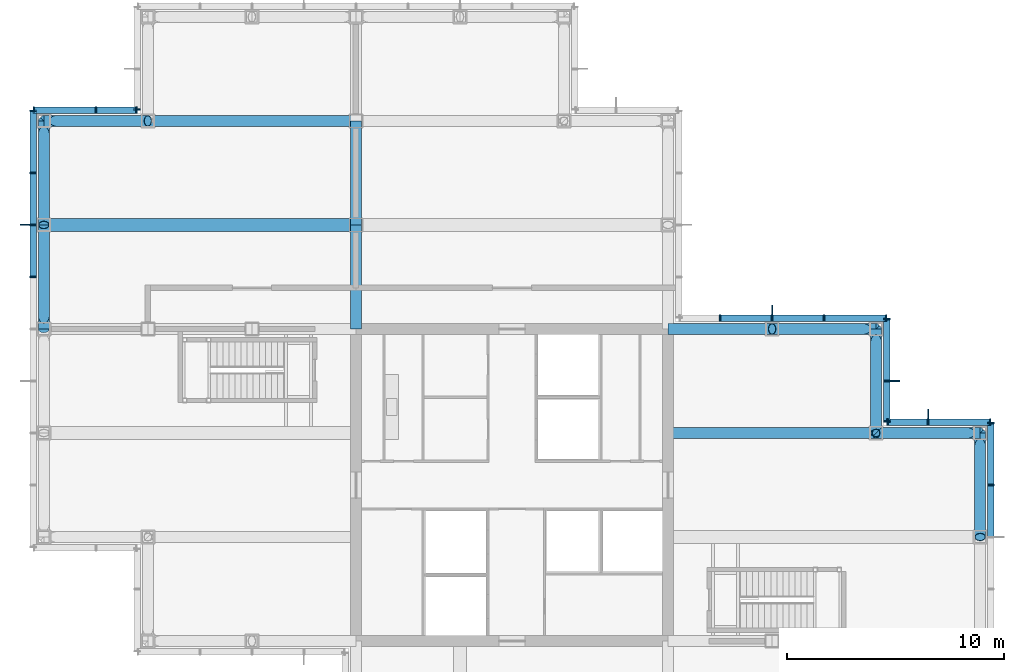
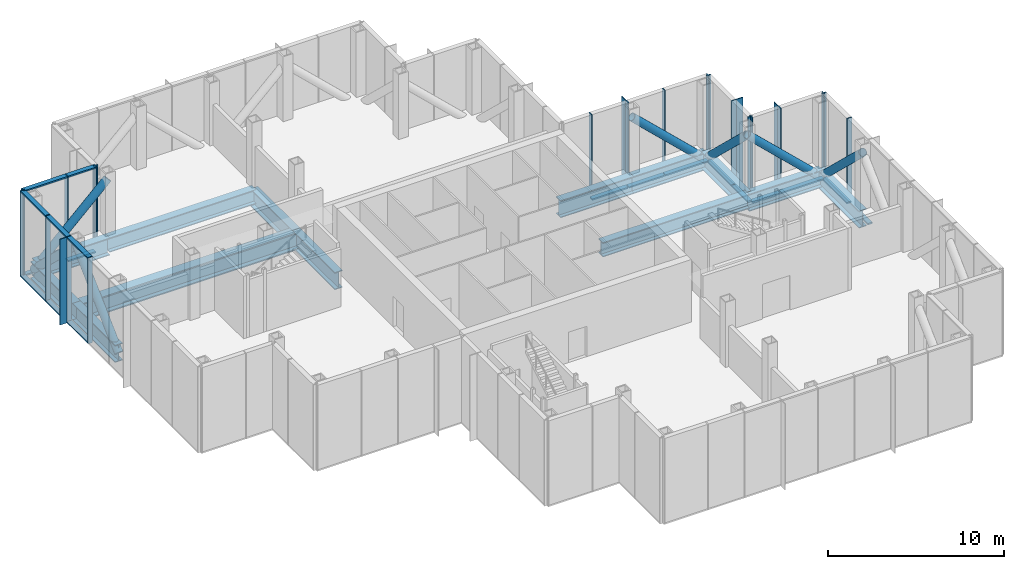
# One storey, part 9 of 17: 50 members, 13 beams, 7 elements without a shape of their own.
"""IFC4 building model written with IfcOpenShell, lengths in metres."""

from ifc_helpers import new_model, si_unit, direction, frame, origin, origin_2d, place, context, subcontext, project, spatial, rectangle, hollow_circle, i_section, extrude, material, material_profile, profile_set, type_object, element, aggregate, save


model = new_model("IFC4")

# Units and contexts
model_context = context("Model", 3, precision=1e-05, world=origin(), true_north=direction((0.0, 1.0)))
body_context = subcontext(model_context, "Body", "Model", "MODEL_VIEW")
ifc_project = project(units=[si_unit("LENGTHUNIT", "METRE"), si_unit("AREAUNIT", "SQUARE_METRE"), si_unit("VOLUMEUNIT", "CUBIC_METRE"), si_unit("PLANEANGLEUNIT", "RADIAN"), si_unit("MASSUNIT", "GRAM", prefix="KILO")], contexts=[model_context])

# Site, building, storey
site_placement = place(None, origin())
site = spatial("IfcSite", under=ifc_project, at=site_placement, CompositionType="ELEMENT")
building_placement = place(site_placement, origin())
building = spatial("IfcBuilding", under=site, at=building_placement, Name="Kvirike Care Tower", CompositionType="ELEMENT")
storey_placement = place(building_placement, frame((0.0, 0.0, 136.5)))
storey = spatial("IfcBuildingStorey", under=building, at=storey_placement, Name="L37", CompositionType="ELEMENT", Elevation=136.5)

# Members
ifc_material_1 = material(Name="Steel S355", Category="steel")
ifc_material_profile_1 = material_profile(ifc_material_1, hollow_circle(Radius=0.25390625, WallThickness=0.02490234375, at=origin_2d()), Name="CHS 508x25")
ifc_profile_set_1 = profile_set([ifc_material_profile_1], Name="Steel S355")
member_type_1 = type_object("IfcMemberType", Name="BELT TRUSS DIAGONAL CHS 508x25", PredefinedType="BRACE", material=ifc_profile_set_1)
member_1_placement = place(storey_placement, frame((43.199951171875, 38.39990234375, -0.85009765625), z_axis=(0.0, -0.723472495583, 0.690353205348), x_axis=(1.0, 0.0, 0.0)))
element("IfcMember", 1, at=member_1_placement, inside=storey, type_object=member_type_1, Name="Belt truss diagonal H12-J12 L37", PredefinedType="BRACE", context=body_context, shape_type="SweptSolid", body=[
    extrude(hollow_circle(Radius=0.25390625, WallThickness=0.02490234375, at=origin_2d()), origin(), (0.0, 0.0, 1.0), 6.63427734375),
])
for number, where, z_axis, x_axis, name in (
    (2, (43.199951171875, 38.39990234375, -0.85009765625), (-0.723490032929, 0.0, 0.690334826191), (0.0, -1.0, 0.0), "Belt truss diagonal J12-J11 L37"),
    (3, (38.39990234375, 43.199951171875, -0.85009765625), (0.0, -0.723490032929, 0.690334826191), (1.0, 0.0, 0.0), "Belt truss diagonal J11-K11 L37"),
):
    element("IfcMember", number, at=place(storey_placement, frame(where, z_axis=z_axis, x_axis=x_axis)), inside=storey, type_object=member_type_1, Name=name, PredefinedType="BRACE", context=body_context, shape_type="SweptSolid", body=[
        extrude(hollow_circle(Radius=0.25390625, WallThickness=0.02490234375, at=origin_2d()), origin(), (0.0, 0.0, 1.0), 6.634521484375),
    ])
member_2_placement = place(storey_placement, frame((38.39990234375, 43.199951171875, -0.85009765625), z_axis=(-0.723472495583, 0.0, 0.690353205348), x_axis=(0.0, -1.0, 0.0)))
element("IfcMember", 4, at=member_2_placement, inside=storey, type_object=member_type_1, Name="Belt truss diagonal K11-K10 L37", PredefinedType="BRACE", context=body_context, shape_type="SweptSolid", body=[
    extrude(hollow_circle(Radius=0.25390625, WallThickness=0.02490234375, at=origin_2d()), origin(), (0.0, 0.0, 1.0), 6.63427734375),
])
for number, where, z_axis, x_axis, name in (
    (5, (0.0, 52.800048828125, -0.85009765625), (0.723490032929, 0.0, 0.690334826191), (0.0, 1.0, 0.0), "Belt truss diagonal M4-M3 L37"),
    (6, (0.0, 52.800048828125, -0.85009765625), (0.0, -0.723490032929, 0.690334826191), (1.0, 0.0, 0.0), "Belt truss diagonal M3-L3 L37"),
    (7, (0.0, 43.199951171875, -0.85009765625), (0.0, 0.723490032929, 0.690334826191), (-1.0, 0.0, 0.0), "Belt truss diagonal L3-K3 L37"),
):
    element("IfcMember", number, at=place(storey_placement, frame(where, z_axis=z_axis, x_axis=x_axis)), inside=storey, type_object=member_type_1, Name=name, PredefinedType="BRACE", context=body_context, shape_type="SweptSolid", body=[
        extrude(hollow_circle(Radius=0.25390625, WallThickness=0.02490234375, at=origin_2d()), origin(), (0.0, 0.0, 1.0), 6.634521484375),
    ])

# Curtain wall, member
ifc_material_2 = material(Name="Anodised aluminium stick system", Category="aluminium")
curtain_wall_type = type_object("IfcCurtainWallType", Name="CW-L LOUVRED PLANT SCREEN", PredefinedType="NOTDEFINED", material=ifc_material_2)
curtain_wall_1_placement = place(storey_placement, origin())
curtain_wall_1 = element("IfcCurtainWall", 8, at=curtain_wall_1_placement, inside=storey, type_object=curtain_wall_type, Name="Curtain wall L37 face 2", PredefinedType="NOTDEFINED")
ifc_material_3 = material(Name="Bronze anodised aluminium fin", Category="aluminium")
ifc_material_profile_2 = material_profile(ifc_material_3, rectangle(XDim=0.050048828125, YDim=0.449951171875, at=origin_2d()), Name="BRONZE FIN 450")
ifc_profile_set_2 = profile_set([ifc_material_profile_2], Name="Bronze anodised aluminium fin")
member_type_2 = type_object("IfcMemberType", Name="BRONZE FIN 450", PredefinedType="USERDEFINED", material=ifc_profile_set_2)
member_3_placement = place(storey_placement, frame((40.800048828125, 39.27490234375, -1.449951171875), z_axis=(0.0, 0.0, 1.0), x_axis=(-1.0, 0.0, 0.0)))
member_3 = element("IfcMember", 9, at=member_3_placement, type_object=member_type_2, Name="Bronze fin L37 face 2.2", ObjectType="FIN", PredefinedType="USERDEFINED", context=body_context, shape_type="SweptSolid", body=[
    extrude(rectangle(XDim=0.050048828125, YDim=0.449951171875, at=origin_2d()), origin(), (0.0, 0.0, 1.0), 5.949951171875),
])

curtain_wall_2_placement = place(storey_placement, origin())
curtain_wall_2 = element("IfcCurtainWall", 10, at=curtain_wall_2_placement, inside=storey, type_object=curtain_wall_type, Name="Curtain wall L37 face 3", PredefinedType="NOTDEFINED")
member_4_placement = place(storey_placement, frame((39.27490234375, 40.800048828125, -1.449951171875), z_axis=(0.0, 0.0, 1.0), x_axis=(0.0, 1.0, 0.0)))
member_4 = element("IfcMember", 11, at=member_4_placement, type_object=member_type_2, Name="Bronze fin L37 face 3.2", ObjectType="FIN", PredefinedType="USERDEFINED", context=body_context, shape_type="SweptSolid", body=[
    extrude(rectangle(XDim=0.050048828125, YDim=0.449951171875, at=origin_2d()), origin(), (0.0, 0.0, 1.0), 5.949951171875),
])

curtain_wall_3_placement = place(storey_placement, origin())
curtain_wall_3 = element("IfcCurtainWall", 12, at=curtain_wall_3_placement, inside=storey, type_object=curtain_wall_type, Name="Curtain wall L37 face 4", PredefinedType="NOTDEFINED")
member_5_placement = place(storey_placement, frame((33.60009765625, 44.074951171875, -1.449951171875), z_axis=(0.0, 0.0, 1.0), x_axis=(-1.0, 0.0, 0.0)))
member_5 = element("IfcMember", 13, at=member_5_placement, type_object=member_type_2, Name="Bronze fin L37 face 4.3", ObjectType="FIN", PredefinedType="USERDEFINED", context=body_context, shape_type="SweptSolid", body=[
    extrude(rectangle(XDim=0.050048828125, YDim=0.449951171875, at=origin_2d()), origin(), (0.0, 0.0, 1.0), 5.949951171875),
])

curtain_wall_4_placement = place(storey_placement, origin())
curtain_wall_4 = element("IfcCurtainWall", 14, at=curtain_wall_4_placement, inside=storey, type_object=curtain_wall_type, Name="Curtain wall L37 face 11", PredefinedType="NOTDEFINED")
member_6_placement = place(storey_placement, frame((-0.875, 48.0, -1.449951171875), z_axis=(0.0, 0.0, 1.0), x_axis=(0.0, -1.0, 0.0)))
member_6 = element("IfcMember", 15, at=member_6_placement, type_object=member_type_2, Name="Bronze fin L37 face 11.3", ObjectType="FIN", PredefinedType="USERDEFINED", context=body_context, shape_type="SweptSolid", body=[
    extrude(rectangle(XDim=0.050048828125, YDim=0.449951171875, at=origin_2d()), origin(), (0.0, 0.0, 1.0), 5.949951171875),
])

# Curtain wall, members
curtain_wall_5_placement = place(storey_placement, origin())
curtain_wall_5 = element("IfcCurtainWall", 16, at=curtain_wall_5_placement, inside=storey, type_object=curtain_wall_type, Name="Curtain wall L37 face 1", PredefinedType="NOTDEFINED")
ifc_material_4 = material(Name="Bronze anodised aluminium mullion", Category="aluminium")
ifc_material_profile_3 = material_profile(ifc_material_4, rectangle(XDim=0.06494140625, YDim=0.300048828125, at=origin_2d()), Name="CW-L MULLION 65x300")
ifc_profile_set_3 = profile_set([ifc_material_profile_3], Name="Bronze anodised aluminium mullion")
member_type_3 = type_object("IfcMemberType", Name="CW-L MULLION 65x300", PredefinedType="MULLION", material=ifc_profile_set_3)
member_7_placement = place(storey_placement, frame((43.699951171875, 36.0, -1.449951171875), z_axis=(0.0, 0.0, 1.0), x_axis=(0.0, 1.0, 0.0)))
member_7 = element("IfcMember", 17, at=member_7_placement, type_object=member_type_3, Name="CW-L mullion L37 face 1.8", PredefinedType="MULLION", context=body_context, shape_type="SweptSolid", body=[
    extrude(rectangle(XDim=0.06494140625, YDim=0.300048828125, at=origin_2d()), origin(), (0.0, 0.0, 1.0), 5.949951171875),
])
member_8_placement = place(storey_placement, frame((43.699951171875, 38.867431640625, -1.449951171875), z_axis=(0.0, 0.0, 1.0), x_axis=(0.0, 1.0, 0.0)))
member_8 = element("IfcMember", 18, at=member_8_placement, type_object=member_type_3, Name="CW-L mullion L37 face 1.9", PredefinedType="MULLION", context=body_context, shape_type="SweptSolid", body=[
    extrude(rectangle(XDim=0.06494140625, YDim=0.300048828125, at=origin_2d()), origin(), (0.0, 0.0, 1.0), 5.949951171875),
])

# Member
member_9_placement = place(storey_placement, frame((43.66748046875, 38.89990234375, -1.449951171875), z_axis=(0.0, 0.0, 1.0), x_axis=(-1.0, 0.0, 0.0)))
member_9 = element("IfcMember", 19, at=member_9_placement, type_object=member_type_3, Name="CW-L mullion L37 face 2.1", PredefinedType="MULLION", context=body_context, shape_type="SweptSolid", body=[
    extrude(rectangle(XDim=0.06494140625, YDim=0.300048828125, at=origin_2d()), origin(), (0.0, 0.0, 1.0), 5.949951171875),
])

member_10_placement = place(storey_placement, frame((40.800048828125, 38.89990234375, -1.449951171875), z_axis=(0.0, 0.0, 1.0), x_axis=(-1.0, 0.0, 0.0)))
member_10 = element("IfcMember", 20, at=member_10_placement, type_object=member_type_3, Name="CW-L mullion L37 face 2.2", PredefinedType="MULLION", context=body_context, shape_type="SweptSolid", body=[
    extrude(rectangle(XDim=0.06494140625, YDim=0.300048828125, at=origin_2d()), origin(), (0.0, 0.0, 1.0), 5.949951171875),
])

member_11_placement = place(storey_placement, frame((38.9326171875, 38.89990234375, -1.449951171875), z_axis=(0.0, 0.0, 1.0), x_axis=(-1.0, 0.0, 0.0)))
member_11 = element("IfcMember", 21, at=member_11_placement, type_object=member_type_3, Name="CW-L mullion L37 face 2.3", PredefinedType="MULLION", context=body_context, shape_type="SweptSolid", body=[
    extrude(rectangle(XDim=0.06494140625, YDim=0.300048828125, at=origin_2d()), origin(), (0.0, 0.0, 1.0), 5.949951171875),
])

member_12_placement = place(storey_placement, frame((38.89990234375, 38.9326171875, -1.449951171875), z_axis=(0.0, 0.0, 1.0), x_axis=(0.0, 1.0, 0.0)))
member_12 = element("IfcMember", 22, at=member_12_placement, type_object=member_type_3, Name="CW-L mullion L37 face 3.1", PredefinedType="MULLION", context=body_context, shape_type="SweptSolid", body=[
    extrude(rectangle(XDim=0.06494140625, YDim=0.300048828125, at=origin_2d()), origin(), (0.0, 0.0, 1.0), 5.949951171875),
])

member_13_placement = place(storey_placement, frame((38.89990234375, 40.800048828125, -1.449951171875), z_axis=(0.0, 0.0, 1.0), x_axis=(0.0, 1.0, 0.0)))
member_13 = element("IfcMember", 23, at=member_13_placement, type_object=member_type_3, Name="CW-L mullion L37 face 3.2", PredefinedType="MULLION", context=body_context, shape_type="SweptSolid", body=[
    extrude(rectangle(XDim=0.06494140625, YDim=0.300048828125, at=origin_2d()), origin(), (0.0, 0.0, 1.0), 5.949951171875),
])

member_14_placement = place(storey_placement, frame((38.89990234375, 43.66748046875, -1.449951171875), z_axis=(0.0, 0.0, 1.0), x_axis=(0.0, 1.0, 0.0)))
member_14 = element("IfcMember", 24, at=member_14_placement, type_object=member_type_3, Name="CW-L mullion L37 face 3.3", PredefinedType="MULLION", context=body_context, shape_type="SweptSolid", body=[
    extrude(rectangle(XDim=0.06494140625, YDim=0.300048828125, at=origin_2d()), origin(), (0.0, 0.0, 1.0), 5.949951171875),
])

member_15_placement = place(storey_placement, frame((38.867431640625, 43.699951171875, -1.449951171875), z_axis=(0.0, 0.0, 1.0), x_axis=(-1.0, 0.0, 0.0)))
member_15 = element("IfcMember", 25, at=member_15_placement, type_object=member_type_3, Name="CW-L mullion L37 face 4.1", PredefinedType="MULLION", context=body_context, shape_type="SweptSolid", body=[
    extrude(rectangle(XDim=0.06494140625, YDim=0.300048828125, at=origin_2d()), origin(), (0.0, 0.0, 1.0), 5.949951171875),
])

member_16_placement = place(storey_placement, frame((36.0, 43.699951171875, -1.449951171875), z_axis=(0.0, 0.0, 1.0), x_axis=(-1.0, 0.0, 0.0)))
member_16 = element("IfcMember", 26, at=member_16_placement, type_object=member_type_3, Name="CW-L mullion L37 face 4.2", PredefinedType="MULLION", context=body_context, shape_type="SweptSolid", body=[
    extrude(rectangle(XDim=0.06494140625, YDim=0.300048828125, at=origin_2d()), origin(), (0.0, 0.0, 1.0), 5.949951171875),
])

member_17_placement = place(storey_placement, frame((33.60009765625, 43.699951171875, -1.449951171875), z_axis=(0.0, 0.0, 1.0), x_axis=(-1.0, 0.0, 0.0)))
member_17 = element("IfcMember", 27, at=member_17_placement, type_object=member_type_3, Name="CW-L mullion L37 face 4.3", PredefinedType="MULLION", context=body_context, shape_type="SweptSolid", body=[
    extrude(rectangle(XDim=0.06494140625, YDim=0.300048828125, at=origin_2d()), origin(), (0.0, 0.0, 1.0), 5.949951171875),
])

member_18_placement = place(storey_placement, frame((31.199951171875, 43.699951171875, -1.449951171875), z_axis=(0.0, 0.0, 1.0), x_axis=(-1.0, 0.0, 0.0)))
member_18 = element("IfcMember", 28, at=member_18_placement, type_object=member_type_3, Name="CW-L mullion L37 face 4.4", PredefinedType="MULLION", context=body_context, shape_type="SweptSolid", body=[
    extrude(rectangle(XDim=0.06494140625, YDim=0.300048828125, at=origin_2d()), origin(), (0.0, 0.0, 1.0), 5.949951171875),
])

# Curtain wall, member
curtain_wall_6_placement = place(storey_placement, origin())
curtain_wall_6 = element("IfcCurtainWall", 29, at=curtain_wall_6_placement, inside=storey, type_object=curtain_wall_type, Name="Curtain wall L37 face 9", PredefinedType="NOTDEFINED")
member_19_placement = place(storey_placement, frame((4.300048828125, 53.33251953125, -1.449951171875), z_axis=(0.0, 0.0, 1.0), x_axis=(0.0, -1.0, 0.0)))
member_19 = element("IfcMember", 30, at=member_19_placement, type_object=member_type_3, Name="CW-L mullion L37 face 9.3", PredefinedType="MULLION", context=body_context, shape_type="SweptSolid", body=[
    extrude(rectangle(XDim=0.06494140625, YDim=0.300048828125, at=origin_2d()), origin(), (0.0, 0.0, 1.0), 5.949951171875),
])
aggregate(curtain_wall_6, [member_19])

# Curtain wall, members
curtain_wall_7_placement = place(storey_placement, origin())
curtain_wall_7 = element("IfcCurtainWall", 31, at=curtain_wall_7_placement, inside=storey, type_object=curtain_wall_type, Name="Curtain wall L37 face 10", PredefinedType="NOTDEFINED")
member_20_placement = place(storey_placement, frame((4.267578125, 53.300048828125, -1.449951171875), z_axis=(0.0, 0.0, 1.0), x_axis=(-1.0, 0.0, 0.0)))
member_20 = element("IfcMember", 32, at=member_20_placement, type_object=member_type_3, Name="CW-L mullion L37 face 10.1", PredefinedType="MULLION", context=body_context, shape_type="SweptSolid", body=[
    extrude(rectangle(XDim=0.06494140625, YDim=0.300048828125, at=origin_2d()), origin(), (0.0, 0.0, 1.0), 5.949951171875),
])
member_21_placement = place(storey_placement, frame((2.39990234375, 53.300048828125, -1.449951171875), z_axis=(0.0, 0.0, 1.0), x_axis=(-1.0, 0.0, 0.0)))
member_21 = element("IfcMember", 33, at=member_21_placement, type_object=member_type_3, Name="CW-L mullion L37 face 10.2", PredefinedType="MULLION", context=body_context, shape_type="SweptSolid", body=[
    extrude(rectangle(XDim=0.06494140625, YDim=0.300048828125, at=origin_2d()), origin(), (0.0, 0.0, 1.0), 5.949951171875),
])
member_22_placement = place(storey_placement, frame((-0.467529296875, 53.300048828125, -1.449951171875), z_axis=(0.0, 0.0, 1.0), x_axis=(-1.0, 0.0, 0.0)))
member_22 = element("IfcMember", 34, at=member_22_placement, type_object=member_type_3, Name="CW-L mullion L37 face 10.3", PredefinedType="MULLION", context=body_context, shape_type="SweptSolid", body=[
    extrude(rectangle(XDim=0.06494140625, YDim=0.300048828125, at=origin_2d()), origin(), (0.0, 0.0, 1.0), 5.949951171875),
])

# Member
member_23_placement = place(storey_placement, frame((-0.5, 53.267578125, -1.449951171875), z_axis=(0.0, 0.0, 1.0), x_axis=(0.0, -1.0, 0.0)))
member_23 = element("IfcMember", 35, at=member_23_placement, type_object=member_type_3, Name="CW-L mullion L37 face 11.1", PredefinedType="MULLION", context=body_context, shape_type="SweptSolid", body=[
    extrude(rectangle(XDim=0.06494140625, YDim=0.300048828125, at=origin_2d()), origin(), (0.0, 0.0, 1.0), 5.949951171875),
])

member_24_placement = place(storey_placement, frame((-0.5, 50.39990234375, -1.449951171875), z_axis=(0.0, 0.0, 1.0), x_axis=(0.0, -1.0, 0.0)))
member_24 = element("IfcMember", 36, at=member_24_placement, type_object=member_type_3, Name="CW-L mullion L37 face 11.2", PredefinedType="MULLION", context=body_context, shape_type="SweptSolid", body=[
    extrude(rectangle(XDim=0.06494140625, YDim=0.300048828125, at=origin_2d()), origin(), (0.0, 0.0, 1.0), 5.949951171875),
])

member_25_placement = place(storey_placement, frame((-0.5, 48.0, -1.449951171875), z_axis=(0.0, 0.0, 1.0), x_axis=(0.0, -1.0, 0.0)))
member_25 = element("IfcMember", 37, at=member_25_placement, type_object=member_type_3, Name="CW-L mullion L37 face 11.3", PredefinedType="MULLION", context=body_context, shape_type="SweptSolid", body=[
    extrude(rectangle(XDim=0.06494140625, YDim=0.300048828125, at=origin_2d()), origin(), (0.0, 0.0, 1.0), 5.949951171875),
])

member_26_placement = place(storey_placement, frame((-0.5, 45.60009765625, -1.449951171875), z_axis=(0.0, 0.0, 1.0), x_axis=(0.0, -1.0, 0.0)))
member_26 = element("IfcMember", 38, at=member_26_placement, type_object=member_type_3, Name="CW-L mullion L37 face 11.4", PredefinedType="MULLION", context=body_context, shape_type="SweptSolid", body=[
    extrude(rectangle(XDim=0.06494140625, YDim=0.300048828125, at=origin_2d()), origin(), (0.0, 0.0, 1.0), 5.949951171875),
])

ifc_material_5 = material(Name="Bronze anodised aluminium transom", Category="aluminium")
ifc_material_profile_4 = material_profile(ifc_material_5, rectangle(XDim=0.300048828125, YDim=0.10009765625, at=origin_2d()), Name="CW-L TRANSOM 300x100")
ifc_profile_set_4 = profile_set([ifc_material_profile_4], Name="Bronze anodised aluminium transom")
member_type_4 = type_object("IfcMemberType", Name="CW-L TRANSOM 300x100", PredefinedType="USERDEFINED", material=ifc_profile_set_4)
member_27_placement = place(storey_placement, frame((43.699951171875, 33.632568359375, -1.39990234375), z_axis=(0.0, 1.0, 0.0), x_axis=(-1.0, 0.0, 0.0)))
member_27 = element("IfcMember", 39, at=member_27_placement, type_object=member_type_4, Name="CW-L sill transom L37 face 1.7", ObjectType="TRANSOM", PredefinedType="USERDEFINED", context=body_context, shape_type="SweptSolid", body=[
    extrude(rectangle(XDim=0.300048828125, YDim=0.10009765625, at=origin_2d()), origin(), (0.0, 0.0, 1.0), 2.3349609375),
])

member_28_placement = place(storey_placement, frame((43.699951171875, 36.032470703125, -1.39990234375), z_axis=(0.0, 1.0, 0.0), x_axis=(-1.0, 0.0, 0.0)))
member_28 = element("IfcMember", 40, at=member_28_placement, type_object=member_type_4, Name="CW-L sill transom L37 face 1.8", ObjectType="TRANSOM", PredefinedType="USERDEFINED", context=body_context, shape_type="SweptSolid", body=[
    extrude(rectangle(XDim=0.300048828125, YDim=0.10009765625, at=origin_2d()), origin(), (0.0, 0.0, 1.0), 2.802490234375),
])

aggregate(curtain_wall_5, [member_7, member_8, member_27, member_28])

member_29_placement = place(storey_placement, frame((43.635009765625, 38.89990234375, -1.39990234375), z_axis=(-1.0, 0.0, 0.0), x_axis=(0.0, -1.0, 0.0)))
member_29 = element("IfcMember", 41, at=member_29_placement, type_object=member_type_4, Name="CW-L sill transom L37 face 2.1", ObjectType="TRANSOM", PredefinedType="USERDEFINED", context=body_context, shape_type="SweptSolid", body=[
    extrude(rectangle(XDim=0.300048828125, YDim=0.10009765625, at=origin_2d()), origin(), (0.0, 0.0, 1.0), 2.802490234375),
])

member_30_placement = place(storey_placement, frame((40.767578125, 38.89990234375, -1.39990234375), z_axis=(-1.0, 0.0, 0.0), x_axis=(0.0, -1.0, 0.0)))
member_30 = element("IfcMember", 42, at=member_30_placement, type_object=member_type_4, Name="CW-L sill transom L37 face 2.2", ObjectType="TRANSOM", PredefinedType="USERDEFINED", context=body_context, shape_type="SweptSolid", body=[
    extrude(rectangle(XDim=0.300048828125, YDim=0.10009765625, at=origin_2d()), origin(), (0.0, 0.0, 1.0), 1.802490234375),
])

aggregate(curtain_wall_1, [member_9, member_10, member_3, member_11, member_29, member_30])

member_31_placement = place(storey_placement, frame((38.89990234375, 38.965087890625, -1.39990234375), z_axis=(0.0, 1.0, 0.0), x_axis=(-1.0, 0.0, 0.0)))
member_31 = element("IfcMember", 43, at=member_31_placement, type_object=member_type_4, Name="CW-L sill transom L37 face 3.1", ObjectType="TRANSOM", PredefinedType="USERDEFINED", context=body_context, shape_type="SweptSolid", body=[
    extrude(rectangle(XDim=0.300048828125, YDim=0.10009765625, at=origin_2d()), origin(), (0.0, 0.0, 1.0), 1.802490234375),
])

member_32_placement = place(storey_placement, frame((38.89990234375, 40.83251953125, -1.39990234375), z_axis=(0.0, 1.0, 0.0), x_axis=(-1.0, 0.0, 0.0)))
member_32 = element("IfcMember", 44, at=member_32_placement, type_object=member_type_4, Name="CW-L sill transom L37 face 3.2", ObjectType="TRANSOM", PredefinedType="USERDEFINED", context=body_context, shape_type="SweptSolid", body=[
    extrude(rectangle(XDim=0.300048828125, YDim=0.10009765625, at=origin_2d()), origin(), (0.0, 0.0, 1.0), 2.802490234375),
])

aggregate(curtain_wall_2, [member_12, member_13, member_4, member_14, member_31, member_32])

member_33_placement = place(storey_placement, frame((38.8349609375, 43.699951171875, -1.39990234375), z_axis=(-1.0, 0.0, 0.0), x_axis=(0.0, -1.0, 0.0)))
member_33 = element("IfcMember", 45, at=member_33_placement, type_object=member_type_4, Name="CW-L sill transom L37 face 4.1", ObjectType="TRANSOM", PredefinedType="USERDEFINED", context=body_context, shape_type="SweptSolid", body=[
    extrude(rectangle(XDim=0.300048828125, YDim=0.10009765625, at=origin_2d()), origin(), (0.0, 0.0, 1.0), 2.802490234375),
])

member_34_placement = place(storey_placement, frame((35.967529296875, 43.699951171875, -1.39990234375), z_axis=(-1.0, 0.0, 0.0), x_axis=(0.0, -1.0, 0.0)))
member_34 = element("IfcMember", 46, at=member_34_placement, type_object=member_type_4, Name="CW-L sill transom L37 face 4.2", ObjectType="TRANSOM", PredefinedType="USERDEFINED", context=body_context, shape_type="SweptSolid", body=[
    extrude(rectangle(XDim=0.300048828125, YDim=0.10009765625, at=origin_2d()), origin(), (0.0, 0.0, 1.0), 2.3349609375),
])

member_35_placement = place(storey_placement, frame((33.5673828125, 43.699951171875, -1.39990234375), z_axis=(-1.0, 0.0, 0.0), x_axis=(0.0, -1.0, 0.0)))
member_35 = element("IfcMember", 47, at=member_35_placement, type_object=member_type_4, Name="CW-L sill transom L37 face 4.3", ObjectType="TRANSOM", PredefinedType="USERDEFINED", context=body_context, shape_type="SweptSolid", body=[
    extrude(rectangle(XDim=0.300048828125, YDim=0.10009765625, at=origin_2d()), origin(), (0.0, 0.0, 1.0), 2.3349609375),
])

aggregate(curtain_wall_3, [member_15, member_16, member_17, member_5, member_18, member_33, member_34, member_35])

member_36_placement = place(storey_placement, frame((4.235107421875, 53.300048828125, -1.39990234375), z_axis=(-1.0, 0.0, 0.0), x_axis=(0.0, -1.0, 0.0)))
member_36 = element("IfcMember", 48, at=member_36_placement, type_object=member_type_4, Name="CW-L sill transom L37 face 10.1", ObjectType="TRANSOM", PredefinedType="USERDEFINED", context=body_context, shape_type="SweptSolid", body=[
    extrude(rectangle(XDim=0.300048828125, YDim=0.10009765625, at=origin_2d()), origin(), (0.0, 0.0, 1.0), 1.802490234375),
])

member_37_placement = place(storey_placement, frame((4.235107421875, 53.300048828125, 4.449951171875), z_axis=(-1.0, 0.0, 0.0), x_axis=(0.0, -1.0, 0.0)))
member_37 = element("IfcMember", 49, at=member_37_placement, type_object=member_type_4, Name="CW-L head transom L37 face 10.1", ObjectType="TRANSOM", PredefinedType="USERDEFINED", context=body_context, shape_type="SweptSolid", body=[
    extrude(rectangle(XDim=0.300048828125, YDim=0.10009765625, at=origin_2d()), origin(), (0.0, 0.0, 1.0), 1.802490234375),
])

member_38_placement = place(storey_placement, frame((2.367431640625, 53.300048828125, -1.39990234375), z_axis=(-1.0, 0.0, 0.0), x_axis=(0.0, -1.0, 0.0)))
member_38 = element("IfcMember", 50, at=member_38_placement, type_object=member_type_4, Name="CW-L sill transom L37 face 10.2", ObjectType="TRANSOM", PredefinedType="USERDEFINED", context=body_context, shape_type="SweptSolid", body=[
    extrude(rectangle(XDim=0.300048828125, YDim=0.10009765625, at=origin_2d()), origin(), (0.0, 0.0, 1.0), 2.802490234375),
])

member_39_placement = place(storey_placement, frame((2.367431640625, 53.300048828125, 4.449951171875), z_axis=(-1.0, 0.0, 0.0), x_axis=(0.0, -1.0, 0.0)))
member_39 = element("IfcMember", 51, at=member_39_placement, type_object=member_type_4, Name="CW-L head transom L37 face 10.2", ObjectType="TRANSOM", PredefinedType="USERDEFINED", context=body_context, shape_type="SweptSolid", body=[
    extrude(rectangle(XDim=0.300048828125, YDim=0.10009765625, at=origin_2d()), origin(), (0.0, 0.0, 1.0), 2.802490234375),
])

aggregate(curtain_wall_7, [member_20, member_21, member_22, member_36, member_37, member_38, member_39])

member_40_placement = place(storey_placement, frame((-0.5, 53.235107421875, -1.39990234375), z_axis=(0.0, -1.0, 0.0), x_axis=(1.0, 0.0, 0.0)))
member_40 = element("IfcMember", 52, at=member_40_placement, type_object=member_type_4, Name="CW-L sill transom L37 face 11.1", ObjectType="TRANSOM", PredefinedType="USERDEFINED", context=body_context, shape_type="SweptSolid", body=[
    extrude(rectangle(XDim=0.300048828125, YDim=0.10009765625, at=origin_2d()), origin(), (0.0, 0.0, 1.0), 2.802490234375),
])

member_41_placement = place(storey_placement, frame((-0.5, 53.235107421875, 4.449951171875), z_axis=(0.0, -1.0, 0.0), x_axis=(1.0, 0.0, 0.0)))
member_41 = element("IfcMember", 53, at=member_41_placement, type_object=member_type_4, Name="CW-L head transom L37 face 11.1", ObjectType="TRANSOM", PredefinedType="USERDEFINED", context=body_context, shape_type="SweptSolid", body=[
    extrude(rectangle(XDim=0.300048828125, YDim=0.10009765625, at=origin_2d()), origin(), (0.0, 0.0, 1.0), 2.802490234375),
])

member_42_placement = place(storey_placement, frame((-0.5, 50.367431640625, -1.39990234375), z_axis=(0.0, -1.0, 0.0), x_axis=(1.0, 0.0, 0.0)))
member_42 = element("IfcMember", 54, at=member_42_placement, type_object=member_type_4, Name="CW-L sill transom L37 face 11.2", ObjectType="TRANSOM", PredefinedType="USERDEFINED", context=body_context, shape_type="SweptSolid", body=[
    extrude(rectangle(XDim=0.300048828125, YDim=0.10009765625, at=origin_2d()), origin(), (0.0, 0.0, 1.0), 2.3349609375),
])

member_43_placement = place(storey_placement, frame((-0.5, 50.367431640625, 4.449951171875), z_axis=(0.0, -1.0, 0.0), x_axis=(1.0, 0.0, 0.0)))
member_43 = element("IfcMember", 55, at=member_43_placement, type_object=member_type_4, Name="CW-L head transom L37 face 11.2", ObjectType="TRANSOM", PredefinedType="USERDEFINED", context=body_context, shape_type="SweptSolid", body=[
    extrude(rectangle(XDim=0.300048828125, YDim=0.10009765625, at=origin_2d()), origin(), (0.0, 0.0, 1.0), 2.3349609375),
])

member_44_placement = place(storey_placement, frame((-0.5, 47.967529296875, -1.39990234375), z_axis=(0.0, -1.0, 0.0), x_axis=(1.0, 0.0, 0.0)))
member_44 = element("IfcMember", 56, at=member_44_placement, type_object=member_type_4, Name="CW-L sill transom L37 face 11.3", ObjectType="TRANSOM", PredefinedType="USERDEFINED", context=body_context, shape_type="SweptSolid", body=[
    extrude(rectangle(XDim=0.300048828125, YDim=0.10009765625, at=origin_2d()), origin(), (0.0, 0.0, 1.0), 2.3349609375),
])

member_45_placement = place(storey_placement, frame((-0.5, 47.967529296875, 4.449951171875), z_axis=(0.0, -1.0, 0.0), x_axis=(1.0, 0.0, 0.0)))
member_45 = element("IfcMember", 57, at=member_45_placement, type_object=member_type_4, Name="CW-L head transom L37 face 11.3", ObjectType="TRANSOM", PredefinedType="USERDEFINED", context=body_context, shape_type="SweptSolid", body=[
    extrude(rectangle(XDim=0.300048828125, YDim=0.10009765625, at=origin_2d()), origin(), (0.0, 0.0, 1.0), 2.3349609375),
])

aggregate(curtain_wall_4, [member_23, member_24, member_25, member_6, member_26, member_40, member_41, member_42, member_43, member_44, member_45])

# Beams
ifc_material_6 = material(Name="Steel S355", Category="steel")
ifc_material_profile_5 = material_profile(ifc_material_6, i_section(OverallWidth=0.5, OverallDepth=1.199951171875, WebThickness=0.030029296875, FlangeThickness=0.06005859375, at=origin_2d()), Name="PG 1200x500x30x60")
ifc_profile_set_5 = profile_set([ifc_material_profile_5], Name="Steel S355")
beam_type_1 = type_object("IfcBeamType", Name="FRAME BEAM PG 1200x500x30x60", PredefinedType="BEAM", material=ifc_profile_set_5)
for number, where, z_axis, x_axis, name in (
    (58, (14.39990234375, 43.199951171875, -0.85009765625), (0.0, 1.0, 0.0), (-1.0, 0.0, 0.0), "Frame Beam K6-L6 L37"),
    (59, (14.39990234375, 48.0, -0.85009765625), (0.0, 1.0, 0.0), (-1.0, 0.0, 0.0), "Frame Beam L6-M6 L37"),
):
    element("IfcBeam", number, at=place(storey_placement, frame(where, z_axis=z_axis, x_axis=x_axis)), inside=storey, type_object=beam_type_1, Name=name, PredefinedType="BEAM", context=body_context, shape_type="SweptSolid", body=[
        extrude(i_section(OverallWidth=0.5, OverallDepth=1.199951171875, WebThickness=0.030029296875, FlangeThickness=0.06005859375, at=origin_2d()), origin(), (0.0, 0.0, 1.0), 4.800048828125),
    ])
ifc_material_7 = material(Name="Steel S355", Category="steel")
ifc_material_profile_6 = material_profile(ifc_material_7, i_section(OverallWidth=0.5, OverallDepth=1.0, WebThickness=0.030029296875, FlangeThickness=0.06005859375, at=origin_2d()), Name="PG 1000x500x30x60")
ifc_profile_set_6 = profile_set([ifc_material_profile_6], Name="Steel S355")
beam_type_2 = type_object("IfcBeamType", Name="PLANT FLOOR GIRDER PG 1000x500x30x60", PredefinedType="BEAM", material=ifc_profile_set_6)
for number, where, z_axis, x_axis, name in (
    (60, (28.800048828125, 38.39990234375, -0.75), (1.0, 0.0, 0.0), (0.0, 1.0, 0.0), "Plant Floor Girder J9-J11 L37"),
    (61, (4.800048828125, 52.800048828125, -0.75), (1.0, 0.0, 0.0), (0.0, 1.0, 0.0), "Plant Floor Girder M4-M6 L37"),
):
    element("IfcBeam", number, at=place(storey_placement, frame(where, z_axis=z_axis, x_axis=x_axis)), inside=storey, type_object=beam_type_2, Name=name, PredefinedType="BEAM", context=body_context, shape_type="SweptSolid", body=[
        extrude(i_section(OverallWidth=0.5, OverallDepth=1.0, WebThickness=0.030029296875, FlangeThickness=0.06005859375, at=origin_2d()), origin(), (0.0, 0.0, 1.0), 9.599853515625),
    ])
ifc_material_8 = material(Name="Steel S355", Category="steel")
ifc_material_profile_7 = material_profile(ifc_material_8, i_section(OverallWidth=0.60009765625, OverallDepth=1.199951171875, WebThickness=0.0400390625, FlangeThickness=0.080078125, at=origin_2d()), Name="PG 1200x600x40x80")
ifc_profile_set_7 = profile_set([ifc_material_profile_7], Name="Steel S355")
beam_type_3 = type_object("IfcBeamType", Name="PLANT FLOOR GIRDER PG 1200x600x40x80", PredefinedType="BEAM", material=ifc_profile_set_7)
beam_1_placement = place(storey_placement, frame((0.0, 48.0, -0.85009765625), z_axis=(1.0, 0.0, 0.0), x_axis=(0.0, 1.0, 0.0)))
element("IfcBeam", 62, at=beam_1_placement, inside=storey, type_object=beam_type_3, Name="Plant Floor Girder L3-L6 L37", PredefinedType="BEAM", context=body_context, shape_type="SweptSolid", body=[
    extrude(i_section(OverallWidth=0.60009765625, OverallDepth=1.199951171875, WebThickness=0.0400390625, FlangeThickness=0.080078125, at=origin_2d()), origin(), (0.0, 0.0, 1.0), 14.39990234375),
])
ifc_material_9 = material(Name="Steel S355", Category="steel")
ifc_material_profile_8 = material_profile(ifc_material_9, i_section(OverallWidth=0.5, OverallDepth=1.199951171875, WebThickness=0.030029296875, FlangeThickness=0.06005859375, at=origin_2d()), Name="PG 1200x500x30x60")
ifc_profile_set_8 = profile_set([ifc_material_profile_8], Name="Steel S355")
beam_type_4 = type_object("IfcBeamType", Name="SPANDREL PG 1200x500x30x60", PredefinedType="SPANDREL", material=ifc_profile_set_8)
for number, where, z_axis, x_axis, name in (
    (63, (38.39990234375, 38.39990234375, -0.85009765625), (1.0, 0.0, 0.0), (0.0, 1.0, 0.0), "Spandrel J11-J12 L37"),
    (64, (28.800048828125, 43.199951171875, -0.85009765625), (1.0, 0.0, 0.0), (0.0, 1.0, 0.0), "Spandrel K9-K10 L37"),
):
    element("IfcBeam", number, at=place(storey_placement, frame(where, z_axis=z_axis, x_axis=x_axis)), inside=storey, type_object=beam_type_4, Name=name, PredefinedType="SPANDREL", context=body_context, shape_type="SweptSolid", body=[
        extrude(i_section(OverallWidth=0.5, OverallDepth=1.199951171875, WebThickness=0.030029296875, FlangeThickness=0.06005859375, at=origin_2d()), origin(), (0.0, 0.0, 1.0), 4.800048828125),
    ])
beam_2_placement = place(storey_placement, frame((33.60009765625, 43.199951171875, -0.85009765625), z_axis=(1.0, 0.0, 0.0), x_axis=(0.0, 1.0, 0.0)))
element("IfcBeam", 65, at=beam_2_placement, inside=storey, type_object=beam_type_4, Name="Spandrel K10-K11 L37", PredefinedType="SPANDREL", context=body_context, shape_type="SweptSolid", body=[
    extrude(i_section(OverallWidth=0.5, OverallDepth=1.199951171875, WebThickness=0.030029296875, FlangeThickness=0.06005859375, at=origin_2d()), origin(), (0.0, 0.0, 1.0), 4.7998046875),
])
for number, where, z_axis, x_axis, name in (
    (66, (0.0, 52.800048828125, -0.85009765625), (1.0, 0.0, 0.0), (0.0, 1.0, 0.0), "Spandrel M3-M4 L37"),
    (67, (0.0, 43.199951171875, -0.85009765625), (0.0, 1.0, 0.0), (-1.0, 0.0, 0.0), "Spandrel K3-L3 L37"),
    (68, (0.0, 48.0, -0.85009765625), (0.0, 1.0, 0.0), (-1.0, 0.0, 0.0), "Spandrel L3-M3 L37"),
    (69, (38.39990234375, 38.39990234375, -0.85009765625), (0.0, 1.0, 0.0), (-1.0, 0.0, 0.0), "Spandrel J11-K11 L37"),
):
    element("IfcBeam", number, at=place(storey_placement, frame(where, z_axis=z_axis, x_axis=x_axis)), inside=storey, type_object=beam_type_4, Name=name, PredefinedType="SPANDREL", context=body_context, shape_type="SweptSolid", body=[
        extrude(i_section(OverallWidth=0.5, OverallDepth=1.199951171875, WebThickness=0.030029296875, FlangeThickness=0.06005859375, at=origin_2d()), origin(), (0.0, 0.0, 1.0), 4.800048828125),
    ])
beam_3_placement = place(storey_placement, frame((43.199951171875, 33.60009765625, -0.85009765625), z_axis=(0.0, 1.0, 0.0), x_axis=(-1.0, 0.0, 0.0)))
element("IfcBeam", 70, at=beam_3_placement, inside=storey, type_object=beam_type_4, Name="Spandrel H12-J12 L37", PredefinedType="SPANDREL", context=body_context, shape_type="SweptSolid", body=[
    extrude(i_section(OverallWidth=0.5, OverallDepth=1.199951171875, WebThickness=0.030029296875, FlangeThickness=0.06005859375, at=origin_2d()), origin(), (0.0, 0.0, 1.0), 4.7998046875),
])

save(model, "model.ifc")
